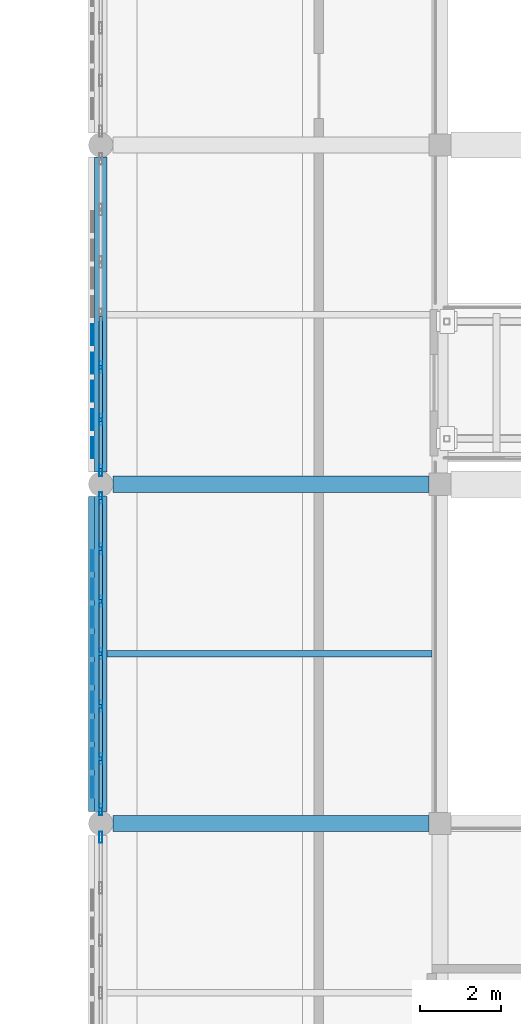
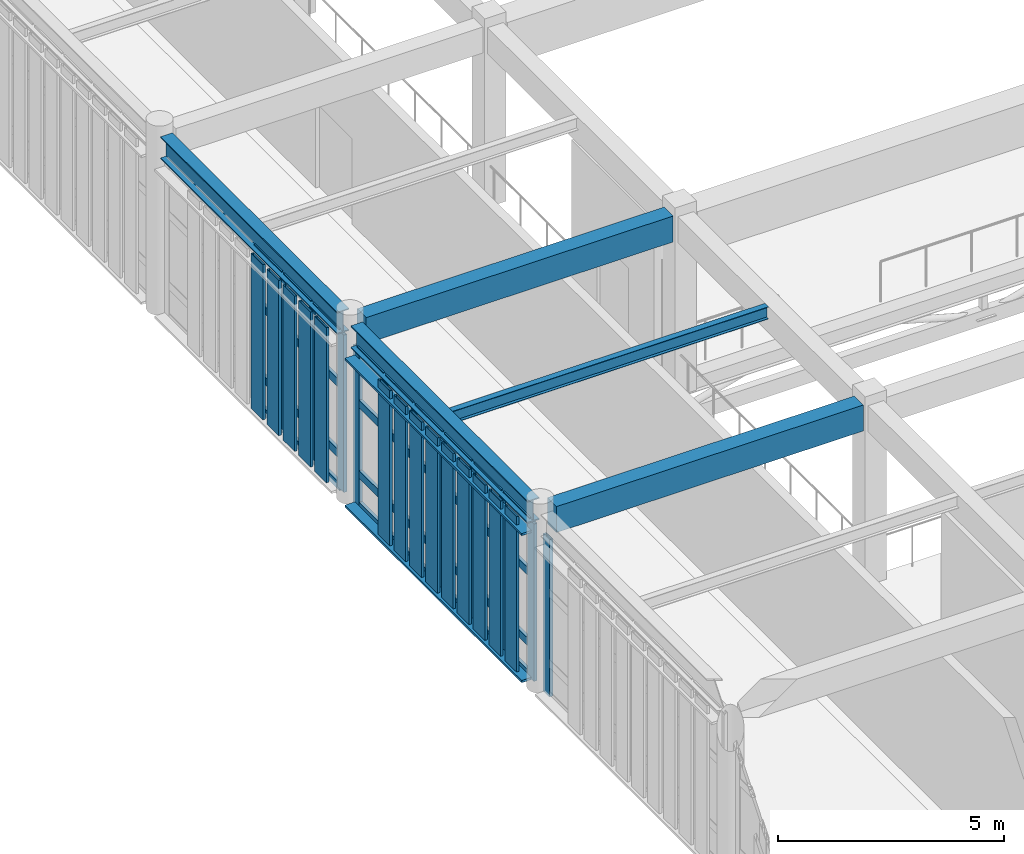
# One storey, part 14 of 77: 63 members, 5 beams, 3 elements without a shape of their own.
"""IFC4 building model written with IfcOpenShell, lengths in metres."""

from ifc_helpers import new_model, si_unit, direction, frame, origin, origin_2d, place, context, subcontext, project, spatial, rectangle, hollow_rectangle, i_section, extrude, material, layer, layer_set, material_profile, profile_set, type_object, element, aggregate, save


model = new_model("IFC4")

# Units and contexts
model_context = context("Model", 3, precision=1e-05, world=origin(), true_north=direction((0.0, 1.0)))
body_context = subcontext(model_context, "Body", "Model", "MODEL_VIEW")
ifc_project = project(units=[si_unit("LENGTHUNIT", "METRE"), si_unit("AREAUNIT", "SQUARE_METRE"), si_unit("VOLUMEUNIT", "CUBIC_METRE"), si_unit("PLANEANGLEUNIT", "RADIAN"), si_unit("MASSUNIT", "GRAM", prefix="KILO")], contexts=[model_context])

# Site, building, storey
site_placement = place(None, origin())
site = spatial("IfcSite", under=ifc_project, at=site_placement, CompositionType="ELEMENT")
building_placement = place(site_placement, origin())
building = spatial("IfcBuilding", under=site, at=building_placement, Name="Krzemoval Escarpment Law Courts", CompositionType="ELEMENT")
storey_placement = place(building_placement, frame((0.0, 0.0, 15.300048828125)))
storey = spatial("IfcBuildingStorey", under=building, at=storey_placement, Name="L03", CompositionType="ELEMENT", Elevation=15.300048828125)

# Beams
ifc_material_1 = material(Name="Concrete C40/50", Category="concrete")
ifc_material_profile_1 = material_profile(ifc_material_1, rectangle(XDim=0.39990234375, YDim=0.699951171875, at=origin_2d()), Name="RCB 400x700")
ifc_profile_set_1 = profile_set([ifc_material_profile_1], Name="Concrete C40/50")
beam_type_1 = type_object("IfcBeamType", Name="BM-RC-400x700", PredefinedType="BEAM", material=ifc_profile_set_1)
for number, where, z_axis, x_axis, name in (
    (1, (8.699951171875, 49.199951171875, 4.489990234375), (1.0, 0.0, 0.0), (0.0, 1.0, 0.0), "Beam FG-L03-2153"),
    (2, (8.699951171875, 57.60009765625, 4.489990234375), (1.0, 0.0, 0.0), (0.0, 1.0, 0.0), "Beam FG-L03-2157"),
):
    element("IfcBeam", number, at=place(storey_placement, frame(where, z_axis=z_axis, x_axis=x_axis)), inside=storey, type_object=beam_type_1, Name=name, PredefinedType="BEAM", context=body_context, shape_type="SweptSolid", body=[
        extrude(rectangle(XDim=0.39990234375, YDim=0.699951171875, at=origin_2d()), origin(), (0.0, 0.0, 1.0), 7.824951171875),
    ])

# Curtain wall, member
ifc_material_2 = material(Name="Aluminium 6063-T6", Category="aluminium")
ifc_layer = layer(ifc_material_2, 0.280029296875)
ifc_layer_set = layer_set([ifc_layer], Name="Aluminium 6063-T6")
curtain_wall_type = type_object("IfcCurtainWallType", Name="CW-HALL-5100", PredefinedType="USERDEFINED", material=ifc_layer_set)
curtain_wall_1_placement = place(storey_placement, origin())
curtain_wall_1 = element("IfcCurtainWall", 3, at=curtain_wall_1_placement, inside=storey, type_object=curtain_wall_type, Name="Unitised Curtain Wall FCW-L03-097", ObjectType="UNITISED_CURTAIN_WALL", PredefinedType="USERDEFINED")
ifc_material_3 = material(Name="Aluminium 6063-T6", Category="aluminium")
ifc_material_profile_2 = material_profile(ifc_material_3, hollow_rectangle(XDim=0.0849609375, YDim=0.280029296875, WallThickness=0.005615234375, at=origin_2d()), Name="ALU M85x280")
ifc_profile_set_2 = profile_set([ifc_material_profile_2], Name="Aluminium 6063-T6")
member_type_1 = type_object("IfcMemberType", Name="CWM-85x280", PredefinedType="MULLION", material=ifc_profile_set_2)
member_1_placement = place(storey_placement, frame((8.39990234375, 48.857421875, 0.0), z_axis=(0.0, 0.0, 1.0), x_axis=(-1.0, 0.0, 0.0)))
member_1 = element("IfcMember", 4, at=member_1_placement, type_object=member_type_1, Name="FCW-L03-097 mullion 7", PredefinedType="MULLION", context=body_context, shape_type="SweptSolid", body=[
    extrude(hollow_rectangle(XDim=0.0849609375, YDim=0.280029296875, WallThickness=0.005615234375, at=origin_2d()), origin(), (0.0, 0.0, 1.0), 4.239990234375),
])
aggregate(curtain_wall_1, [member_1])

# Curtain wall, members
curtain_wall_2_placement = place(storey_placement, origin())
curtain_wall_2 = element("IfcCurtainWall", 5, at=curtain_wall_2_placement, inside=storey, type_object=curtain_wall_type, Name="Unitised Curtain Wall FCW-L03-098", ObjectType="UNITISED_CURTAIN_WALL", PredefinedType="USERDEFINED")
member_2_placement = place(storey_placement, frame((8.39990234375, 49.54248046875, 0.0), z_axis=(0.0, 0.0, 1.0), x_axis=(-1.0, 0.0, 0.0)))
member_2 = element("IfcMember", 6, at=member_2_placement, type_object=member_type_1, Name="FCW-L03-098 mullion 1", PredefinedType="MULLION", context=body_context, shape_type="SweptSolid", body=[
    extrude(hollow_rectangle(XDim=0.0849609375, YDim=0.280029296875, WallThickness=0.005615234375, at=origin_2d()), origin(), (0.0, 0.0, 1.0), 4.239990234375),
])
member_3_placement = place(storey_placement, frame((8.39990234375, 50.800048828125, 0.0), z_axis=(0.0, 0.0, 1.0), x_axis=(-1.0, 0.0, 0.0)))
member_3 = element("IfcMember", 7, at=member_3_placement, type_object=member_type_1, Name="FCW-L03-098 mullion 2", PredefinedType="MULLION", context=body_context, shape_type="SweptSolid", body=[
    extrude(hollow_rectangle(XDim=0.0849609375, YDim=0.280029296875, WallThickness=0.005615234375, at=origin_2d()), origin(), (0.0, 0.0, 1.0), 4.239990234375),
])
member_4_placement = place(storey_placement, frame((8.39990234375, 52.10009765625, 0.0), z_axis=(0.0, 0.0, 1.0), x_axis=(-1.0, 0.0, 0.0)))
member_4 = element("IfcMember", 8, at=member_4_placement, type_object=member_type_1, Name="FCW-L03-098 mullion 3", PredefinedType="MULLION", context=body_context, shape_type="SweptSolid", body=[
    extrude(hollow_rectangle(XDim=0.0849609375, YDim=0.280029296875, WallThickness=0.005615234375, at=origin_2d()), origin(), (0.0, 0.0, 1.0), 4.239990234375),
])
member_5_placement = place(storey_placement, frame((8.39990234375, 53.39990234375, 0.0), z_axis=(0.0, 0.0, 1.0), x_axis=(-1.0, 0.0, 0.0)))
member_5 = element("IfcMember", 9, at=member_5_placement, type_object=member_type_1, Name="FCW-L03-098 mullion 4", PredefinedType="MULLION", context=body_context, shape_type="SweptSolid", body=[
    extrude(hollow_rectangle(XDim=0.0849609375, YDim=0.280029296875, WallThickness=0.005615234375, at=origin_2d()), origin(), (0.0, 0.0, 1.0), 4.239990234375),
])
member_6_placement = place(storey_placement, frame((8.39990234375, 54.699951171875, 0.0), z_axis=(0.0, 0.0, 1.0), x_axis=(-1.0, 0.0, 0.0)))
member_6 = element("IfcMember", 10, at=member_6_placement, type_object=member_type_1, Name="FCW-L03-098 mullion 5", PredefinedType="MULLION", context=body_context, shape_type="SweptSolid", body=[
    extrude(hollow_rectangle(XDim=0.0849609375, YDim=0.280029296875, WallThickness=0.005615234375, at=origin_2d()), origin(), (0.0, 0.0, 1.0), 4.239990234375),
])
member_7_placement = place(storey_placement, frame((8.39990234375, 56.0, 0.0), z_axis=(0.0, 0.0, 1.0), x_axis=(-1.0, 0.0, 0.0)))
member_7 = element("IfcMember", 11, at=member_7_placement, type_object=member_type_1, Name="FCW-L03-098 mullion 6", PredefinedType="MULLION", context=body_context, shape_type="SweptSolid", body=[
    extrude(hollow_rectangle(XDim=0.0849609375, YDim=0.280029296875, WallThickness=0.005615234375, at=origin_2d()), origin(), (0.0, 0.0, 1.0), 4.239990234375),
])
member_8_placement = place(storey_placement, frame((8.39990234375, 57.257568359375, 0.0), z_axis=(0.0, 0.0, 1.0), x_axis=(-1.0, 0.0, 0.0)))
member_8 = element("IfcMember", 12, at=member_8_placement, type_object=member_type_1, Name="FCW-L03-098 mullion 7", PredefinedType="MULLION", context=body_context, shape_type="SweptSolid", body=[
    extrude(hollow_rectangle(XDim=0.0849609375, YDim=0.280029296875, WallThickness=0.005615234375, at=origin_2d()), origin(), (0.0, 0.0, 1.0), 4.239990234375),
])

curtain_wall_3_placement = place(storey_placement, origin())
curtain_wall_3 = element("IfcCurtainWall", 13, at=curtain_wall_3_placement, inside=storey, type_object=curtain_wall_type, Name="Unitised Curtain Wall FCW-L03-099", ObjectType="UNITISED_CURTAIN_WALL", PredefinedType="USERDEFINED")
member_9_placement = place(storey_placement, frame((8.39990234375, 57.9423828125, 0.0), z_axis=(0.0, 0.0, 1.0), x_axis=(-1.0, 0.0, 0.0)))
member_9 = element("IfcMember", 14, at=member_9_placement, type_object=member_type_1, Name="FCW-L03-099 mullion 1", PredefinedType="MULLION", context=body_context, shape_type="SweptSolid", body=[
    extrude(hollow_rectangle(XDim=0.0849609375, YDim=0.280029296875, WallThickness=0.005615234375, at=origin_2d()), origin(), (0.0, 0.0, 1.0), 4.239990234375),
])
member_10_placement = place(storey_placement, frame((8.39990234375, 59.199951171875, 0.0), z_axis=(0.0, 0.0, 1.0), x_axis=(-1.0, 0.0, 0.0)))
member_10 = element("IfcMember", 15, at=member_10_placement, type_object=member_type_1, Name="FCW-L03-099 mullion 2", PredefinedType="MULLION", context=body_context, shape_type="SweptSolid", body=[
    extrude(hollow_rectangle(XDim=0.0849609375, YDim=0.280029296875, WallThickness=0.005615234375, at=origin_2d()), origin(), (0.0, 0.0, 1.0), 4.239990234375),
])
member_11_placement = place(storey_placement, frame((8.39990234375, 60.5, 0.0), z_axis=(0.0, 0.0, 1.0), x_axis=(-1.0, 0.0, 0.0)))
member_11 = element("IfcMember", 16, at=member_11_placement, type_object=member_type_1, Name="FCW-L03-099 mullion 3", PredefinedType="MULLION", context=body_context, shape_type="SweptSolid", body=[
    extrude(hollow_rectangle(XDim=0.0849609375, YDim=0.280029296875, WallThickness=0.005615234375, at=origin_2d()), origin(), (0.0, 0.0, 1.0), 4.239990234375),
])

# Member
ifc_material_4 = material(Name="Aluminium 6063-T6", Category="aluminium")
ifc_material_profile_3 = material_profile(ifc_material_4, hollow_rectangle(XDim=0.0849609375, YDim=0.2099609375, WallThickness=0.005615234375, at=origin_2d()), Name="ALU T85x210")
ifc_profile_set_3 = profile_set([ifc_material_profile_3], Name="Aluminium 6063-T6")
member_type_2 = type_object("IfcMemberType", Name="CWT-85x210", PredefinedType="USERDEFINED", material=ifc_profile_set_3)
member_12_placement = place(storey_placement, frame((8.39990234375, 49.5849609375, 0.04248046875), z_axis=(0.0, 1.0, 0.0), x_axis=(-1.0, 0.0, 0.0)))
member_12 = element("IfcMember", 17, at=member_12_placement, type_object=member_type_2, Name="FCW-L03-098 transom 1.1", ObjectType="TRANSOM", PredefinedType="USERDEFINED", context=body_context, shape_type="SweptSolid", body=[
    extrude(hollow_rectangle(XDim=0.0849609375, YDim=0.2099609375, WallThickness=0.005615234375, at=origin_2d()), origin(), (0.0, 0.0, 1.0), 1.172607421875),
])

member_13_placement = place(storey_placement, frame((8.39990234375, 49.5849609375, 0.89990234375), z_axis=(0.0, 1.0, 0.0), x_axis=(-1.0, 0.0, 0.0)))
member_13 = element("IfcMember", 18, at=member_13_placement, type_object=member_type_2, Name="FCW-L03-098 transom 1.2", ObjectType="TRANSOM", PredefinedType="USERDEFINED", context=body_context, shape_type="SweptSolid", body=[
    extrude(hollow_rectangle(XDim=0.0849609375, YDim=0.2099609375, WallThickness=0.005615234375, at=origin_2d()), origin(), (0.0, 0.0, 1.0), 1.172607421875),
])

member_14_placement = place(storey_placement, frame((8.39990234375, 49.5849609375, 2.800048828125), z_axis=(0.0, 1.0, 0.0), x_axis=(-1.0, 0.0, 0.0)))
member_14 = element("IfcMember", 19, at=member_14_placement, type_object=member_type_2, Name="FCW-L03-098 transom 1.3", ObjectType="TRANSOM", PredefinedType="USERDEFINED", context=body_context, shape_type="SweptSolid", body=[
    extrude(hollow_rectangle(XDim=0.0849609375, YDim=0.2099609375, WallThickness=0.005615234375, at=origin_2d()), origin(), (0.0, 0.0, 1.0), 1.172607421875),
])

member_15_placement = place(storey_placement, frame((8.39990234375, 49.5849609375, 4.197509765625), z_axis=(0.0, 1.0, 0.0), x_axis=(-1.0, 0.0, 0.0)))
member_15 = element("IfcMember", 20, at=member_15_placement, type_object=member_type_2, Name="FCW-L03-098 transom 1.4", ObjectType="TRANSOM", PredefinedType="USERDEFINED", context=body_context, shape_type="SweptSolid", body=[
    extrude(hollow_rectangle(XDim=0.0849609375, YDim=0.2099609375, WallThickness=0.005615234375, at=origin_2d()), origin(), (0.0, 0.0, 1.0), 1.172607421875),
])

member_16_placement = place(storey_placement, frame((8.39990234375, 50.842529296875, 0.04248046875), z_axis=(0.0, 1.0, 0.0), x_axis=(-1.0, 0.0, 0.0)))
member_16 = element("IfcMember", 21, at=member_16_placement, type_object=member_type_2, Name="FCW-L03-098 transom 2.1", ObjectType="TRANSOM", PredefinedType="USERDEFINED", context=body_context, shape_type="SweptSolid", body=[
    extrude(hollow_rectangle(XDim=0.0849609375, YDim=0.2099609375, WallThickness=0.005615234375, at=origin_2d()), origin(), (0.0, 0.0, 1.0), 1.215087890625),
])

member_17_placement = place(storey_placement, frame((8.39990234375, 50.842529296875, 0.89990234375), z_axis=(0.0, 1.0, 0.0), x_axis=(-1.0, 0.0, 0.0)))
member_17 = element("IfcMember", 22, at=member_17_placement, type_object=member_type_2, Name="FCW-L03-098 transom 2.2", ObjectType="TRANSOM", PredefinedType="USERDEFINED", context=body_context, shape_type="SweptSolid", body=[
    extrude(hollow_rectangle(XDim=0.0849609375, YDim=0.2099609375, WallThickness=0.005615234375, at=origin_2d()), origin(), (0.0, 0.0, 1.0), 1.215087890625),
])

member_18_placement = place(storey_placement, frame((8.39990234375, 50.842529296875, 2.800048828125), z_axis=(0.0, 1.0, 0.0), x_axis=(-1.0, 0.0, 0.0)))
member_18 = element("IfcMember", 23, at=member_18_placement, type_object=member_type_2, Name="FCW-L03-098 transom 2.3", ObjectType="TRANSOM", PredefinedType="USERDEFINED", context=body_context, shape_type="SweptSolid", body=[
    extrude(hollow_rectangle(XDim=0.0849609375, YDim=0.2099609375, WallThickness=0.005615234375, at=origin_2d()), origin(), (0.0, 0.0, 1.0), 1.215087890625),
])

member_19_placement = place(storey_placement, frame((8.39990234375, 50.842529296875, 4.197509765625), z_axis=(0.0, 1.0, 0.0), x_axis=(-1.0, 0.0, 0.0)))
member_19 = element("IfcMember", 24, at=member_19_placement, type_object=member_type_2, Name="FCW-L03-098 transom 2.4", ObjectType="TRANSOM", PredefinedType="USERDEFINED", context=body_context, shape_type="SweptSolid", body=[
    extrude(hollow_rectangle(XDim=0.0849609375, YDim=0.2099609375, WallThickness=0.005615234375, at=origin_2d()), origin(), (0.0, 0.0, 1.0), 1.215087890625),
])

member_20_placement = place(storey_placement, frame((8.39990234375, 52.142578125, 0.04248046875), z_axis=(0.0, 1.0, 0.0), x_axis=(-1.0, 0.0, 0.0)))
member_20 = element("IfcMember", 25, at=member_20_placement, type_object=member_type_2, Name="FCW-L03-098 transom 3.1", ObjectType="TRANSOM", PredefinedType="USERDEFINED", context=body_context, shape_type="SweptSolid", body=[
    extrude(hollow_rectangle(XDim=0.0849609375, YDim=0.2099609375, WallThickness=0.005615234375, at=origin_2d()), origin(), (0.0, 0.0, 1.0), 1.21484375),
])

member_21_placement = place(storey_placement, frame((8.39990234375, 52.142578125, 0.89990234375), z_axis=(0.0, 1.0, 0.0), x_axis=(-1.0, 0.0, 0.0)))
member_21 = element("IfcMember", 26, at=member_21_placement, type_object=member_type_2, Name="FCW-L03-098 transom 3.2", ObjectType="TRANSOM", PredefinedType="USERDEFINED", context=body_context, shape_type="SweptSolid", body=[
    extrude(hollow_rectangle(XDim=0.0849609375, YDim=0.2099609375, WallThickness=0.005615234375, at=origin_2d()), origin(), (0.0, 0.0, 1.0), 1.21484375),
])

member_22_placement = place(storey_placement, frame((8.39990234375, 52.142578125, 2.800048828125), z_axis=(0.0, 1.0, 0.0), x_axis=(-1.0, 0.0, 0.0)))
member_22 = element("IfcMember", 27, at=member_22_placement, type_object=member_type_2, Name="FCW-L03-098 transom 3.3", ObjectType="TRANSOM", PredefinedType="USERDEFINED", context=body_context, shape_type="SweptSolid", body=[
    extrude(hollow_rectangle(XDim=0.0849609375, YDim=0.2099609375, WallThickness=0.005615234375, at=origin_2d()), origin(), (0.0, 0.0, 1.0), 1.21484375),
])

member_23_placement = place(storey_placement, frame((8.39990234375, 52.142578125, 4.197509765625), z_axis=(0.0, 1.0, 0.0), x_axis=(-1.0, 0.0, 0.0)))
member_23 = element("IfcMember", 28, at=member_23_placement, type_object=member_type_2, Name="FCW-L03-098 transom 3.4", ObjectType="TRANSOM", PredefinedType="USERDEFINED", context=body_context, shape_type="SweptSolid", body=[
    extrude(hollow_rectangle(XDim=0.0849609375, YDim=0.2099609375, WallThickness=0.005615234375, at=origin_2d()), origin(), (0.0, 0.0, 1.0), 1.21484375),
])

member_24_placement = place(storey_placement, frame((8.39990234375, 53.4423828125, 0.04248046875), z_axis=(0.0, 1.0, 0.0), x_axis=(-1.0, 0.0, 0.0)))
member_24 = element("IfcMember", 29, at=member_24_placement, type_object=member_type_2, Name="FCW-L03-098 transom 4.1", ObjectType="TRANSOM", PredefinedType="USERDEFINED", context=body_context, shape_type="SweptSolid", body=[
    extrude(hollow_rectangle(XDim=0.0849609375, YDim=0.2099609375, WallThickness=0.005615234375, at=origin_2d()), origin(), (0.0, 0.0, 1.0), 1.215087890625),
])

member_25_placement = place(storey_placement, frame((8.39990234375, 53.4423828125, 0.89990234375), z_axis=(0.0, 1.0, 0.0), x_axis=(-1.0, 0.0, 0.0)))
member_25 = element("IfcMember", 30, at=member_25_placement, type_object=member_type_2, Name="FCW-L03-098 transom 4.2", ObjectType="TRANSOM", PredefinedType="USERDEFINED", context=body_context, shape_type="SweptSolid", body=[
    extrude(hollow_rectangle(XDim=0.0849609375, YDim=0.2099609375, WallThickness=0.005615234375, at=origin_2d()), origin(), (0.0, 0.0, 1.0), 1.215087890625),
])

member_26_placement = place(storey_placement, frame((8.39990234375, 53.4423828125, 2.800048828125), z_axis=(0.0, 1.0, 0.0), x_axis=(-1.0, 0.0, 0.0)))
member_26 = element("IfcMember", 31, at=member_26_placement, type_object=member_type_2, Name="FCW-L03-098 transom 4.3", ObjectType="TRANSOM", PredefinedType="USERDEFINED", context=body_context, shape_type="SweptSolid", body=[
    extrude(hollow_rectangle(XDim=0.0849609375, YDim=0.2099609375, WallThickness=0.005615234375, at=origin_2d()), origin(), (0.0, 0.0, 1.0), 1.215087890625),
])

member_27_placement = place(storey_placement, frame((8.39990234375, 53.4423828125, 4.197509765625), z_axis=(0.0, 1.0, 0.0), x_axis=(-1.0, 0.0, 0.0)))
member_27 = element("IfcMember", 32, at=member_27_placement, type_object=member_type_2, Name="FCW-L03-098 transom 4.4", ObjectType="TRANSOM", PredefinedType="USERDEFINED", context=body_context, shape_type="SweptSolid", body=[
    extrude(hollow_rectangle(XDim=0.0849609375, YDim=0.2099609375, WallThickness=0.005615234375, at=origin_2d()), origin(), (0.0, 0.0, 1.0), 1.215087890625),
])

member_28_placement = place(storey_placement, frame((8.39990234375, 54.742431640625, 0.04248046875), z_axis=(0.0, 1.0, 0.0), x_axis=(-1.0, 0.0, 0.0)))
member_28 = element("IfcMember", 33, at=member_28_placement, type_object=member_type_2, Name="FCW-L03-098 transom 5.1", ObjectType="TRANSOM", PredefinedType="USERDEFINED", context=body_context, shape_type="SweptSolid", body=[
    extrude(hollow_rectangle(XDim=0.0849609375, YDim=0.2099609375, WallThickness=0.005615234375, at=origin_2d()), origin(), (0.0, 0.0, 1.0), 1.215087890625),
])

member_29_placement = place(storey_placement, frame((8.39990234375, 54.742431640625, 0.89990234375), z_axis=(0.0, 1.0, 0.0), x_axis=(-1.0, 0.0, 0.0)))
member_29 = element("IfcMember", 34, at=member_29_placement, type_object=member_type_2, Name="FCW-L03-098 transom 5.2", ObjectType="TRANSOM", PredefinedType="USERDEFINED", context=body_context, shape_type="SweptSolid", body=[
    extrude(hollow_rectangle(XDim=0.0849609375, YDim=0.2099609375, WallThickness=0.005615234375, at=origin_2d()), origin(), (0.0, 0.0, 1.0), 1.215087890625),
])

member_30_placement = place(storey_placement, frame((8.39990234375, 54.742431640625, 2.800048828125), z_axis=(0.0, 1.0, 0.0), x_axis=(-1.0, 0.0, 0.0)))
member_30 = element("IfcMember", 35, at=member_30_placement, type_object=member_type_2, Name="FCW-L03-098 transom 5.3", ObjectType="TRANSOM", PredefinedType="USERDEFINED", context=body_context, shape_type="SweptSolid", body=[
    extrude(hollow_rectangle(XDim=0.0849609375, YDim=0.2099609375, WallThickness=0.005615234375, at=origin_2d()), origin(), (0.0, 0.0, 1.0), 1.215087890625),
])

member_31_placement = place(storey_placement, frame((8.39990234375, 54.742431640625, 4.197509765625), z_axis=(0.0, 1.0, 0.0), x_axis=(-1.0, 0.0, 0.0)))
member_31 = element("IfcMember", 36, at=member_31_placement, type_object=member_type_2, Name="FCW-L03-098 transom 5.4", ObjectType="TRANSOM", PredefinedType="USERDEFINED", context=body_context, shape_type="SweptSolid", body=[
    extrude(hollow_rectangle(XDim=0.0849609375, YDim=0.2099609375, WallThickness=0.005615234375, at=origin_2d()), origin(), (0.0, 0.0, 1.0), 1.215087890625),
])

member_32_placement = place(storey_placement, frame((8.39990234375, 56.04248046875, 0.04248046875), z_axis=(0.0, 1.0, 0.0), x_axis=(-1.0, 0.0, 0.0)))
member_32 = element("IfcMember", 37, at=member_32_placement, type_object=member_type_2, Name="FCW-L03-098 transom 6.1", ObjectType="TRANSOM", PredefinedType="USERDEFINED", context=body_context, shape_type="SweptSolid", body=[
    extrude(hollow_rectangle(XDim=0.0849609375, YDim=0.2099609375, WallThickness=0.005615234375, at=origin_2d()), origin(), (0.0, 0.0, 1.0), 1.172607421875),
])

member_33_placement = place(storey_placement, frame((8.39990234375, 56.04248046875, 0.89990234375), z_axis=(0.0, 1.0, 0.0), x_axis=(-1.0, 0.0, 0.0)))
member_33 = element("IfcMember", 38, at=member_33_placement, type_object=member_type_2, Name="FCW-L03-098 transom 6.2", ObjectType="TRANSOM", PredefinedType="USERDEFINED", context=body_context, shape_type="SweptSolid", body=[
    extrude(hollow_rectangle(XDim=0.0849609375, YDim=0.2099609375, WallThickness=0.005615234375, at=origin_2d()), origin(), (0.0, 0.0, 1.0), 1.172607421875),
])

member_34_placement = place(storey_placement, frame((8.39990234375, 56.04248046875, 2.800048828125), z_axis=(0.0, 1.0, 0.0), x_axis=(-1.0, 0.0, 0.0)))
member_34 = element("IfcMember", 39, at=member_34_placement, type_object=member_type_2, Name="FCW-L03-098 transom 6.3", ObjectType="TRANSOM", PredefinedType="USERDEFINED", context=body_context, shape_type="SweptSolid", body=[
    extrude(hollow_rectangle(XDim=0.0849609375, YDim=0.2099609375, WallThickness=0.005615234375, at=origin_2d()), origin(), (0.0, 0.0, 1.0), 1.172607421875),
])

member_35_placement = place(storey_placement, frame((8.39990234375, 56.04248046875, 4.197509765625), z_axis=(0.0, 1.0, 0.0), x_axis=(-1.0, 0.0, 0.0)))
member_35 = element("IfcMember", 40, at=member_35_placement, type_object=member_type_2, Name="FCW-L03-098 transom 6.4", ObjectType="TRANSOM", PredefinedType="USERDEFINED", context=body_context, shape_type="SweptSolid", body=[
    extrude(hollow_rectangle(XDim=0.0849609375, YDim=0.2099609375, WallThickness=0.005615234375, at=origin_2d()), origin(), (0.0, 0.0, 1.0), 1.172607421875),
])

aggregate(curtain_wall_2, [member_2, member_3, member_4, member_5, member_6, member_7, member_8, member_12, member_13, member_14, member_15, member_16, member_17, member_18, member_19, member_20, member_21, member_22, member_23, member_24, member_25, member_26, member_27, member_28, member_29, member_30, member_31, member_32, member_33, member_34, member_35])

member_36_placement = place(storey_placement, frame((8.39990234375, 57.985107421875, 0.04248046875), z_axis=(0.0, 1.0, 0.0), x_axis=(-1.0, 0.0, 0.0)))
member_36 = element("IfcMember", 41, at=member_36_placement, type_object=member_type_2, Name="FCW-L03-099 transom 1.1", ObjectType="TRANSOM", PredefinedType="USERDEFINED", context=body_context, shape_type="SweptSolid", body=[
    extrude(hollow_rectangle(XDim=0.0849609375, YDim=0.2099609375, WallThickness=0.005615234375, at=origin_2d()), origin(), (0.0, 0.0, 1.0), 1.17236328125),
])

member_37_placement = place(storey_placement, frame((8.39990234375, 57.985107421875, 0.89990234375), z_axis=(0.0, 1.0, 0.0), x_axis=(-1.0, 0.0, 0.0)))
member_37 = element("IfcMember", 42, at=member_37_placement, type_object=member_type_2, Name="FCW-L03-099 transom 1.2", ObjectType="TRANSOM", PredefinedType="USERDEFINED", context=body_context, shape_type="SweptSolid", body=[
    extrude(hollow_rectangle(XDim=0.0849609375, YDim=0.2099609375, WallThickness=0.005615234375, at=origin_2d()), origin(), (0.0, 0.0, 1.0), 1.17236328125),
])

member_38_placement = place(storey_placement, frame((8.39990234375, 57.985107421875, 2.800048828125), z_axis=(0.0, 1.0, 0.0), x_axis=(-1.0, 0.0, 0.0)))
member_38 = element("IfcMember", 43, at=member_38_placement, type_object=member_type_2, Name="FCW-L03-099 transom 1.3", ObjectType="TRANSOM", PredefinedType="USERDEFINED", context=body_context, shape_type="SweptSolid", body=[
    extrude(hollow_rectangle(XDim=0.0849609375, YDim=0.2099609375, WallThickness=0.005615234375, at=origin_2d()), origin(), (0.0, 0.0, 1.0), 1.17236328125),
])

member_39_placement = place(storey_placement, frame((8.39990234375, 57.985107421875, 4.197509765625), z_axis=(0.0, 1.0, 0.0), x_axis=(-1.0, 0.0, 0.0)))
member_39 = element("IfcMember", 44, at=member_39_placement, type_object=member_type_2, Name="FCW-L03-099 transom 1.4", ObjectType="TRANSOM", PredefinedType="USERDEFINED", context=body_context, shape_type="SweptSolid", body=[
    extrude(hollow_rectangle(XDim=0.0849609375, YDim=0.2099609375, WallThickness=0.005615234375, at=origin_2d()), origin(), (0.0, 0.0, 1.0), 1.17236328125),
])

member_40_placement = place(storey_placement, frame((8.39990234375, 59.242431640625, 0.04248046875), z_axis=(0.0, 1.0, 0.0), x_axis=(-1.0, 0.0, 0.0)))
member_40 = element("IfcMember", 45, at=member_40_placement, type_object=member_type_2, Name="FCW-L03-099 transom 2.1", ObjectType="TRANSOM", PredefinedType="USERDEFINED", context=body_context, shape_type="SweptSolid", body=[
    extrude(hollow_rectangle(XDim=0.0849609375, YDim=0.2099609375, WallThickness=0.005615234375, at=origin_2d()), origin(), (0.0, 0.0, 1.0), 1.215087890625),
])

member_41_placement = place(storey_placement, frame((8.39990234375, 59.242431640625, 0.89990234375), z_axis=(0.0, 1.0, 0.0), x_axis=(-1.0, 0.0, 0.0)))
member_41 = element("IfcMember", 46, at=member_41_placement, type_object=member_type_2, Name="FCW-L03-099 transom 2.2", ObjectType="TRANSOM", PredefinedType="USERDEFINED", context=body_context, shape_type="SweptSolid", body=[
    extrude(hollow_rectangle(XDim=0.0849609375, YDim=0.2099609375, WallThickness=0.005615234375, at=origin_2d()), origin(), (0.0, 0.0, 1.0), 1.215087890625),
])

member_42_placement = place(storey_placement, frame((8.39990234375, 59.242431640625, 2.800048828125), z_axis=(0.0, 1.0, 0.0), x_axis=(-1.0, 0.0, 0.0)))
member_42 = element("IfcMember", 47, at=member_42_placement, type_object=member_type_2, Name="FCW-L03-099 transom 2.3", ObjectType="TRANSOM", PredefinedType="USERDEFINED", context=body_context, shape_type="SweptSolid", body=[
    extrude(hollow_rectangle(XDim=0.0849609375, YDim=0.2099609375, WallThickness=0.005615234375, at=origin_2d()), origin(), (0.0, 0.0, 1.0), 1.215087890625),
])

member_43_placement = place(storey_placement, frame((8.39990234375, 59.242431640625, 4.197509765625), z_axis=(0.0, 1.0, 0.0), x_axis=(-1.0, 0.0, 0.0)))
member_43 = element("IfcMember", 48, at=member_43_placement, type_object=member_type_2, Name="FCW-L03-099 transom 2.4", ObjectType="TRANSOM", PredefinedType="USERDEFINED", context=body_context, shape_type="SweptSolid", body=[
    extrude(hollow_rectangle(XDim=0.0849609375, YDim=0.2099609375, WallThickness=0.005615234375, at=origin_2d()), origin(), (0.0, 0.0, 1.0), 1.215087890625),
])

member_44_placement = place(storey_placement, frame((8.39990234375, 60.54248046875, 0.04248046875), z_axis=(0.0, 1.0, 0.0), x_axis=(-1.0, 0.0, 0.0)))
member_44 = element("IfcMember", 49, at=member_44_placement, type_object=member_type_2, Name="FCW-L03-099 transom 3.1", ObjectType="TRANSOM", PredefinedType="USERDEFINED", context=body_context, shape_type="SweptSolid", body=[
    extrude(hollow_rectangle(XDim=0.0849609375, YDim=0.2099609375, WallThickness=0.005615234375, at=origin_2d()), origin(), (0.0, 0.0, 1.0), 1.215087890625),
])

member_45_placement = place(storey_placement, frame((8.39990234375, 60.54248046875, 0.89990234375), z_axis=(0.0, 1.0, 0.0), x_axis=(-1.0, 0.0, 0.0)))
member_45 = element("IfcMember", 50, at=member_45_placement, type_object=member_type_2, Name="FCW-L03-099 transom 3.2", ObjectType="TRANSOM", PredefinedType="USERDEFINED", context=body_context, shape_type="SweptSolid", body=[
    extrude(hollow_rectangle(XDim=0.0849609375, YDim=0.2099609375, WallThickness=0.005615234375, at=origin_2d()), origin(), (0.0, 0.0, 1.0), 1.215087890625),
])

member_46_placement = place(storey_placement, frame((8.39990234375, 60.54248046875, 2.800048828125), z_axis=(0.0, 1.0, 0.0), x_axis=(-1.0, 0.0, 0.0)))
member_46 = element("IfcMember", 51, at=member_46_placement, type_object=member_type_2, Name="FCW-L03-099 transom 3.3", ObjectType="TRANSOM", PredefinedType="USERDEFINED", context=body_context, shape_type="SweptSolid", body=[
    extrude(hollow_rectangle(XDim=0.0849609375, YDim=0.2099609375, WallThickness=0.005615234375, at=origin_2d()), origin(), (0.0, 0.0, 1.0), 1.215087890625),
])

member_47_placement = place(storey_placement, frame((8.39990234375, 60.54248046875, 4.197509765625), z_axis=(0.0, 1.0, 0.0), x_axis=(-1.0, 0.0, 0.0)))
member_47 = element("IfcMember", 52, at=member_47_placement, type_object=member_type_2, Name="FCW-L03-099 transom 3.4", ObjectType="TRANSOM", PredefinedType="USERDEFINED", context=body_context, shape_type="SweptSolid", body=[
    extrude(hollow_rectangle(XDim=0.0849609375, YDim=0.2099609375, WallThickness=0.005615234375, at=origin_2d()), origin(), (0.0, 0.0, 1.0), 1.215087890625),
])

aggregate(curtain_wall_3, [member_9, member_10, member_11, member_36, member_37, member_38, member_39, member_40, member_41, member_42, member_43, member_44, member_45, member_46, member_47])

# Beam
ifc_material_5 = material(Name="Steel S355", Category="steel")
ifc_material_profile_4 = material_profile(ifc_material_5, i_section(OverallWidth=0.159912109375, OverallDepth=0.330078125, WebThickness=0.007568359375, FlangeThickness=0.011474609375, at=origin_2d()), Name="IPE 330")
ifc_profile_set_4 = profile_set([ifc_material_profile_4], Name="Steel S355")
beam_type_2 = type_object("IfcBeamType", Name="JST-S355-IPE330", PredefinedType="JOIST", material=ifc_profile_set_4)
beam_placement = place(storey_placement, frame((8.550048828125, 53.39990234375, 4.675048828125), z_axis=(1.0, 0.0, 0.0), x_axis=(0.0, 1.0, 0.0)))
element("IfcBeam", 53, at=beam_placement, inside=storey, type_object=beam_type_2, Name="Secondary Joist FJ-L03-2363", PredefinedType="JOIST", context=body_context, shape_type="SweptSolid", body=[
    extrude(i_section(OverallWidth=0.159912109375, OverallDepth=0.330078125, WebThickness=0.007568359375, FlangeThickness=0.011474609375, at=origin_2d()), origin(), (0.0, 0.0, 1.0), 8.050048828125),
])

# Members
ifc_material_6 = material(Name="Anodised Aluminium Alloy 6063-T6", Category="aluminium")
ifc_material_profile_5 = material_profile(ifc_material_6, hollow_rectangle(XDim=0.06005859375, YDim=0.320068359375, WallThickness=0.00390625, at=origin_2d()), Name="ALU LVR 60x320")
ifc_profile_set_5 = profile_set([ifc_material_profile_5], Name="Anodised Aluminium Alloy 6063-T6")
member_type_3 = type_object("IfcMemberType", Name="LVR-ALU-320", PredefinedType="USERDEFINED", material=ifc_profile_set_5)
for number, where, z_axis, x_axis, name in (
    (54, (8.260009765625, 49.5, 0.030029296875), (0.0, 1.0, 0.0), (0.0, 0.0, 1.0), "Sunshade Support Rail FSR-L03-0624"),
    (55, (8.260009765625, 49.5, 3.989990234375), (0.0, 1.0, 0.0), (0.0, 0.0, 1.0), "Sunshade Support Rail FSR-L03-0625"),
):
    element("IfcMember", number, at=place(storey_placement, frame(where, z_axis=z_axis, x_axis=x_axis)), inside=storey, type_object=member_type_3, Name=name, ObjectType="SUNSHADE_LOUVRE", PredefinedType="USERDEFINED", context=body_context, shape_type="SweptSolid", body=[
        extrude(hollow_rectangle(XDim=0.06005859375, YDim=0.320068359375, WallThickness=0.00390625, at=origin_2d()), origin(), (0.0, 0.0, 1.0), 7.800048828125),
    ])
ifc_material_7 = material(Name="Anodised Aluminium Alloy 6063-T6", Category="aluminium")
ifc_material_profile_6 = material_profile(ifc_material_7, hollow_rectangle(XDim=0.06494140625, YDim=0.52001953125, WallThickness=0.00439453125, at=origin_2d()), Name="ALU LVR 65x520")
ifc_profile_set_6 = profile_set([ifc_material_profile_6], Name="Anodised Aluminium Alloy 6063-T6")
member_type_4 = type_object("IfcMemberType", Name="LVR-ALU-520", PredefinedType="USERDEFINED", material=ifc_profile_set_6)
for number, where, z_axis, x_axis, name in (
    (56, (8.199951171875, 50.10009765625, 0.06005859375), (0.0, 0.0, 1.0), (1.0, 0.0, 0.0), "Sunshade Louvre Fin FLV-L03-0626"),
    (57, (8.199951171875, 50.800048828125, 0.06005859375), (0.0, 0.0, 1.0), (1.0, 0.0, 0.0), "Sunshade Louvre Fin FLV-L03-0627"),
    (58, (8.199951171875, 51.5, 0.06005859375), (0.0, 0.0, 1.0), (1.0, 0.0, 0.0), "Sunshade Louvre Fin FLV-L03-0628"),
    (59, (8.199951171875, 52.199951171875, 0.06005859375), (0.0, 0.0, 1.0), (1.0, 0.0, 0.0), "Sunshade Louvre Fin FLV-L03-0629"),
    (60, (8.199951171875, 52.89990234375, 0.06005859375), (0.0, 0.0, 1.0), (1.0, 0.0, 0.0), "Sunshade Louvre Fin FLV-L03-0630"),
    (61, (8.199951171875, 53.60009765625, 0.06005859375), (0.0, 0.0, 1.0), (1.0, 0.0, 0.0), "Sunshade Louvre Fin FLV-L03-0631"),
    (62, (8.199951171875, 54.300048828125, 0.06005859375), (0.0, 0.0, 1.0), (1.0, 0.0, 0.0), "Sunshade Louvre Fin FLV-L03-0632"),
    (63, (8.199951171875, 55.0, 0.06005859375), (0.0, 0.0, 1.0), (1.0, 0.0, 0.0), "Sunshade Louvre Fin FLV-L03-0633"),
    (64, (8.199951171875, 55.699951171875, 0.06005859375), (0.0, 0.0, 1.0), (1.0, 0.0, 0.0), "Sunshade Louvre Fin FLV-L03-0634"),
    (65, (8.199951171875, 58.5, 0.06005859375), (0.0, 0.0, 1.0), (1.0, 0.0, 0.0), "Sunshade Louvre Fin FLV-L03-0637"),
    (66, (8.199951171875, 59.199951171875, 0.06005859375), (0.0, 0.0, 1.0), (1.0, 0.0, 0.0), "Sunshade Louvre Fin FLV-L03-0638"),
    (67, (8.199951171875, 59.89990234375, 0.06005859375), (0.0, 0.0, 1.0), (1.0, 0.0, 0.0), "Sunshade Louvre Fin FLV-L03-0639"),
    (68, (8.199951171875, 60.60009765625, 0.06005859375), (0.0, 0.0, 1.0), (1.0, 0.0, 0.0), "Sunshade Louvre Fin FLV-L03-0640"),
    (69, (8.199951171875, 61.300048828125, 0.06005859375), (0.0, 0.0, 1.0), (1.0, 0.0, 0.0), "Sunshade Louvre Fin FLV-L03-0641"),
):
    element("IfcMember", number, at=place(storey_placement, frame(where, z_axis=z_axis, x_axis=x_axis)), inside=storey, type_object=member_type_4, Name=name, ObjectType="SUNSHADE_LOUVRE", PredefinedType="USERDEFINED", context=body_context, shape_type="SweptSolid", body=[
        extrude(hollow_rectangle(XDim=0.06494140625, YDim=0.52001953125, WallThickness=0.00439453125, at=origin_2d()), origin(), (0.0, 0.0, 1.0), 4.179931640625),
    ])

# Beams
ifc_material_8 = material(Name="Steel S355", Category="steel")
ifc_material_profile_7 = material_profile(ifc_material_8, i_section(OverallWidth=0.300048828125, OverallDepth=0.60009765625, WebThickness=0.015380859375, FlangeThickness=0.030029296875, at=origin_2d()), Name="HEB 600")
ifc_profile_set_7 = profile_set([ifc_material_profile_7], Name="Steel S355")
beam_type_3 = type_object("IfcBeamType", Name="SPN-S355-HEB600", PredefinedType="SPANDREL", material=ifc_profile_set_7)
for number, where, z_axis, x_axis, name in (
    (70, (8.39990234375, 49.5, 4.5400390625), (0.0, 1.0, 0.0), (-1.0, 0.0, 0.0), "Beam FG-L03-2224"),
    (71, (8.39990234375, 57.89990234375, 4.5400390625), (0.0, 1.0, 0.0), (-1.0, 0.0, 0.0), "Beam FG-L03-2225"),
):
    element("IfcBeam", number, at=place(storey_placement, frame(where, z_axis=z_axis, x_axis=x_axis)), inside=storey, type_object=beam_type_3, Name=name, PredefinedType="SPANDREL", context=body_context, shape_type="SweptSolid", body=[
        extrude(i_section(OverallWidth=0.300048828125, OverallDepth=0.60009765625, WebThickness=0.015380859375, FlangeThickness=0.030029296875, at=origin_2d()), origin(), (0.0, 0.0, 1.0), 7.800048828125),
    ])

save(model, "model.ifc")
